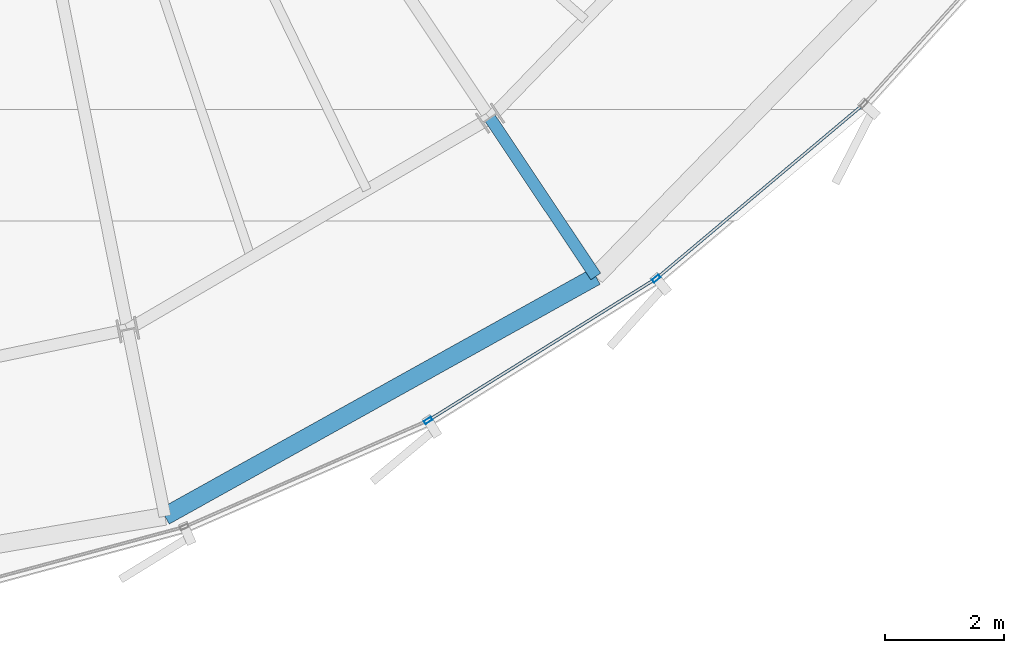
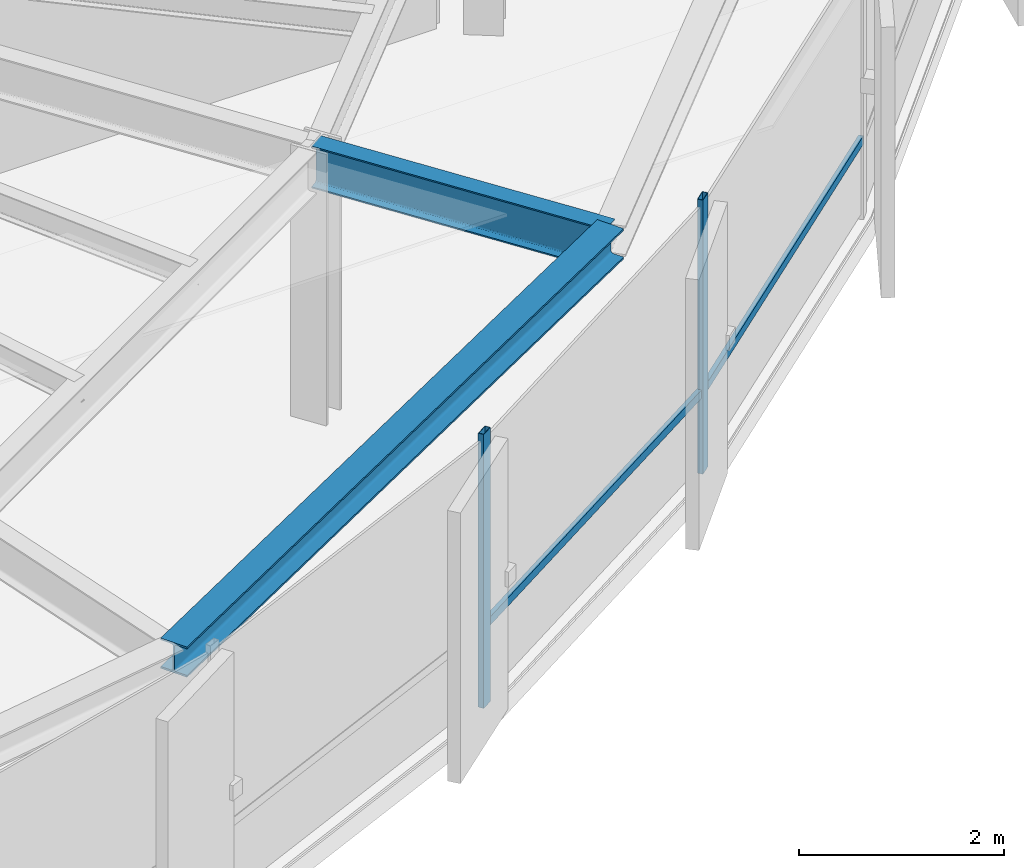
# One storey, part 13 of 35: 4 members, 2 beams, 1 element without a shape of its own.
"""IFC4 building model written with IfcOpenShell, lengths in metres."""

from ifc_helpers import new_model, si_unit, direction, frame, origin, origin_2d, place, context, subcontext, project, spatial, hollow_rectangle, i_section, extrude, source, transform, mapped, material, layer, layer_set, material_profile, profile_set, type_object, element, aggregate, save


model = new_model("IFC4")

# Units and contexts
model_context = context("Model", 3, precision=1e-05, world=origin(), true_north=direction((0.0, 1.0)))
body_context = subcontext(model_context, "Body", "Model", "MODEL_VIEW")
ifc_project = project(units=[si_unit("LENGTHUNIT", "METRE"), si_unit("AREAUNIT", "SQUARE_METRE"), si_unit("VOLUMEUNIT", "CUBIC_METRE"), si_unit("PLANEANGLEUNIT", "RADIAN"), si_unit("MASSUNIT", "GRAM", prefix="KILO"), si_unit("THERMODYNAMICTEMPERATUREUNIT", "KELVIN")], contexts=[model_context])

# Site, building, storey
site_placement = place(None, origin())
site = spatial("IfcSite", under=ifc_project, at=site_placement, CompositionType="ELEMENT")
building_placement = place(site_placement, origin())
building = spatial("IfcBuilding", under=site, at=building_placement, Name="Kethvar Cultural Tower", CompositionType="ELEMENT")
storey_placement = place(building_placement, frame((0.0, 0.0, 179.89990234375)))
storey = spatial("IfcBuildingStorey", under=building, at=storey_placement, Name="L46", CompositionType="ELEMENT", Elevation=179.89990234375)

# Beams
ifc_material_1 = material(Name="Steel S355J2", Category="steel")
ifc_material_profile_1 = material_profile(ifc_material_1, i_section(OverallWidth=0.199951171875, OverallDepth=0.5, WebThickness=0.01025390625, FlangeThickness=0.01611328125, FilletRadius=0.02099609375, at=origin_2d()), Name="Steel S355J2 — IPE500")
ifc_profile_set_1 = profile_set([ifc_material_profile_1], Name="Steel S355J2 — IPE500")
beam_type_1 = type_object("IfcBeamType", Name="BM-IPE500", PredefinedType="BEAM", material=ifc_profile_set_1)
shared_shape_1 = source(origin(), body_context, "Body", "SweptSolid", [
    extrude(i_section(OverallWidth=0.199951171875, OverallDepth=0.5, WebThickness=0.01025390625, FlangeThickness=0.01611328125, FilletRadius=0.02099609375, at=origin_2d()), origin(), (0.0, 0.0, 1.0), 3.199951171875),
])
beam_1_placement = place(storey_placement, frame((56.474609375, 13.32080078125, 3.008056640625), z_axis=(0.555580212716, -0.831462943996, 0.0), x_axis=(0.831462943996, 0.555580212716, 0.0)))
element("IfcBeam", 1, at=beam_1_placement, inside=storey, type_object=beam_type_1, Name="L46 Perimeter Cantilever Beam RC-14", PredefinedType="BEAM", context=body_context, shape_type="MappedRepresentation", body=[
    mapped(shared_shape_1, transform((0.0, 0.0, 0.0), scale=1.0)),
])
ifc_material_profile_2 = material_profile(ifc_material_1, i_section(OverallWidth=0.300048828125, OverallDepth=0.360107421875, WebThickness=0.012451171875, FlangeThickness=0.0224609375, FilletRadius=0.027099609375, at=origin_2d()), Name="Steel S355J2 — HEB360")
ifc_profile_set_2 = profile_set([ifc_material_profile_2], Name="Steel S355J2 — HEB360")
beam_type_2 = type_object("IfcBeamType", Name="BM-SP360", PredefinedType="SPANDREL", material=ifc_profile_set_2)
shared_shape_2 = source(origin(), body_context, "Body", "SweptSolid", [
    extrude(i_section(OverallWidth=0.300048828125, OverallDepth=0.360107421875, WebThickness=0.012451171875, FlangeThickness=0.0224609375, FilletRadius=0.027099609375, at=origin_2d()), origin(), (0.0, 0.0, 1.0), 8.287353515625),
])
beam_2_placement = place(storey_placement, frame((51.010986328125, 6.630126953125, 3.078125), z_axis=(0.873798521244, 0.486288128862, 0.0), x_axis=(-0.486288128862, 0.873798521244, 0.0)))
element("IfcBeam", 2, at=beam_2_placement, inside=storey, type_object=beam_type_2, Name="L46 Perimeter Spandrel Beam SP-13", PredefinedType="SPANDREL", context=body_context, shape_type="MappedRepresentation", body=[
    mapped(shared_shape_2, transform((0.0, 0.0, 0.0), scale=1.0)),
])

# Curtain wall, members
ifc_material_2 = material(Name="Aluminium 6063-T6", Category="aluminium")
ifc_layer = layer(ifc_material_2, 0.179931640625, Name="Aluminium 6063-T6", Category="aluminium")
ifc_layer_set = layer_set([ifc_layer], Name="Aluminium 6063-T6 (180 mm)")
curtain_wall_type = type_object("IfcCurtainWallType", Name="CW-SYS-04-Z34", PredefinedType="NOTDEFINED", material=ifc_layer_set)
curtain_wall_placement = place(storey_placement, origin())
curtain_wall = element("IfcCurtainWall", 3, at=curtain_wall_placement, inside=storey, type_object=curtain_wall_type, Name="L46 Curtain Wall Run 05", PredefinedType="NOTDEFINED")
ifc_material_profile_3 = material_profile(ifc_material_2, hollow_rectangle(XDim=0.06005859375, YDim=0.139892578125, WallThickness=0.0048828125, at=origin_2d()), Name="Aluminium 6063-T6 — RHS140x60x5")
ifc_profile_set_3 = profile_set([ifc_material_profile_3], Name="Aluminium 6063-T6 — RHS140x60x5")
member_type_1 = type_object("IfcMemberType", Name="CW-SYS-04-Z34-MUL", PredefinedType="MULLION", material=ifc_profile_set_3)
shared_shape_3 = source(origin(), body_context, "Body", "SweptSolid", [
    extrude(hollow_rectangle(XDim=0.06005859375, YDim=0.139892578125, WallThickness=0.0048828125, at=origin_2d()), origin(), (0.0, 0.0, 1.0), 3.260009765625),
])
member_1_placement = place(storey_placement, frame((55.435302734375, 8.239990234375, 0.0), z_axis=(0.0, 0.0, 1.0), x_axis=(-0.528408699698, 0.84899013309, 0.0)))
member_1 = element("IfcMember", 4, at=member_1_placement, type_object=member_type_1, Name="CW-L46-R05 Mullion 3", PredefinedType="MULLION", context=body_context, shape_type="MappedRepresentation", body=[
    mapped(shared_shape_3, transform((0.0, 0.0, 0.0), scale=1.0)),
])
member_2_placement = place(storey_placement, frame((59.268798828125, 10.624755859375, 0.0), z_axis=(0.0, 0.0, 1.0), x_axis=(-0.643682959849, 0.765292262603, 0.0)))
member_2 = element("IfcMember", 5, at=member_2_placement, type_object=member_type_1, Name="CW-L46-R05 Mullion 4", PredefinedType="MULLION", context=body_context, shape_type="MappedRepresentation", body=[
    mapped(shared_shape_3, transform((0.0, 0.0, 0.0), scale=1.0)),
])
ifc_material_profile_4 = material_profile(ifc_material_2, hollow_rectangle(XDim=0.050048828125, YDim=0.10009765625, WallThickness=0.00390625, at=origin_2d()), Name="Aluminium 6063-T6 — RHS100x50x4")
ifc_profile_set_4 = profile_set([ifc_material_profile_4], Name="Aluminium 6063-T6 — RHS100x50x4")
member_type_2 = type_object("IfcMemberType", Name="CW-SYS-04-Z34-TRN", PredefinedType="USERDEFINED", material=ifc_profile_set_4)
shared_shape_4 = source(origin(), body_context, "Body", "SweptSolid", [
    extrude(hollow_rectangle(XDim=0.050048828125, YDim=0.10009765625, WallThickness=0.00390625, at=origin_2d()), origin(), (0.0, 0.0, 1.0), 4.484375),
])
member_3_placement = place(storey_placement, frame((59.302001953125, 10.652587890625, 0.9501953125), z_axis=(0.765299304455, 0.643674587506, 0.0), x_axis=(-0.643674587506, 0.765299304455, 0.0)))
member_3 = element("IfcMember", 6, at=member_3_placement, type_object=member_type_2, Name="CW-L46-R05 Transom 4", ObjectType="TRANSOM", PredefinedType="USERDEFINED", context=body_context, shape_type="MappedRepresentation", body=[
    mapped(shared_shape_4, transform((0.0, 0.0, 0.0), scale=1.0)),
])
shared_shape_5 = source(origin(), body_context, "Body", "SweptSolid", [
    extrude(hollow_rectangle(XDim=0.050048828125, YDim=0.10009765625, WallThickness=0.00390625, at=origin_2d()), origin(), (0.0, 0.0, 1.0), 4.444091796875),
])
member_4_placement = place(storey_placement, frame((55.471923828125, 8.2626953125, 0.9501953125), z_axis=(0.848978287912, 0.528427730777, 0.0), x_axis=(-0.528427730777, 0.848978287912, 0.0)))
member_4 = element("IfcMember", 7, at=member_4_placement, type_object=member_type_2, Name="CW-L46-R05 Transom 3", ObjectType="TRANSOM", PredefinedType="USERDEFINED", context=body_context, shape_type="MappedRepresentation", body=[
    mapped(shared_shape_5, transform((0.0, 0.0, 0.0), scale=1.0)),
])
aggregate(curtain_wall, [member_1, member_2, member_4, member_3])

save(model, "model.ifc")
